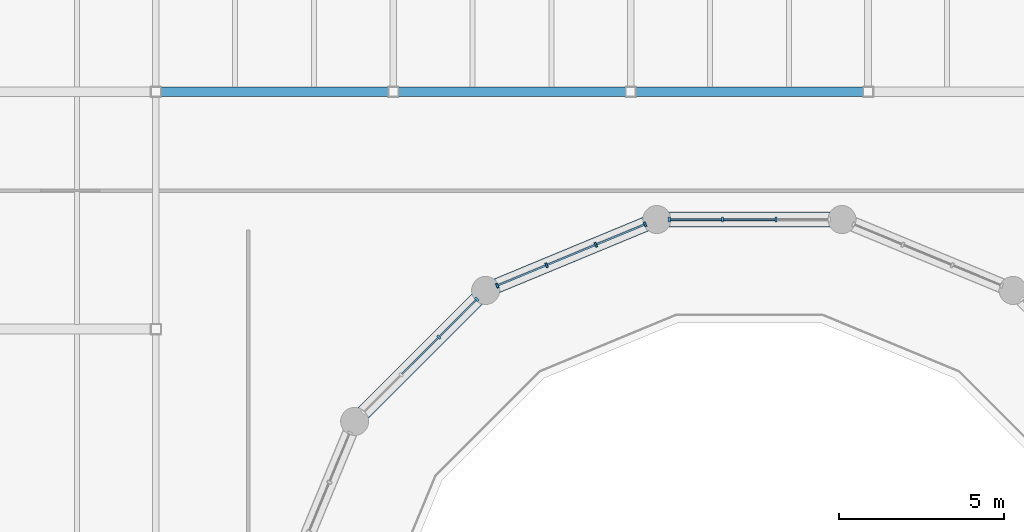
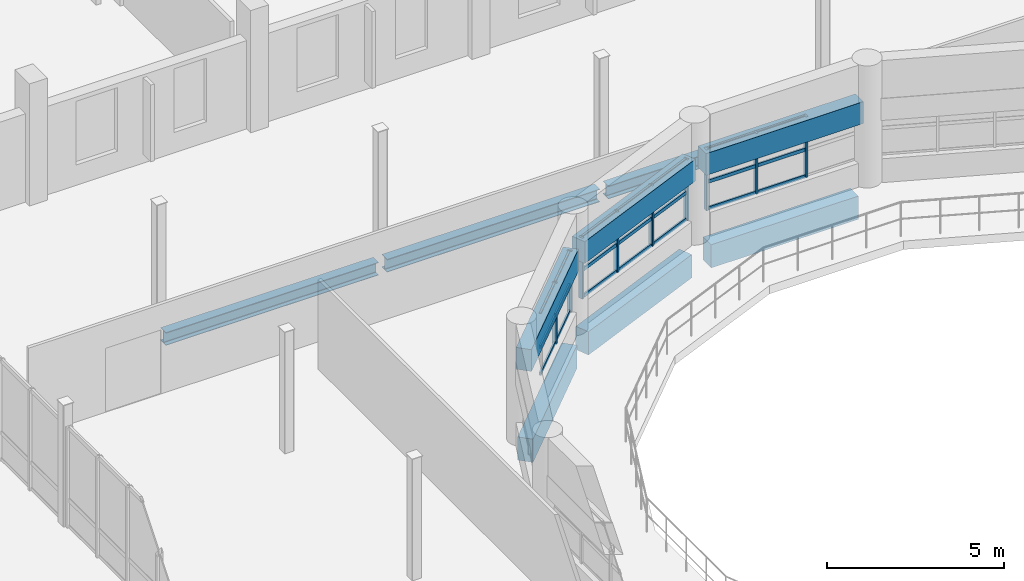
# One storey, part 30 of 63: 30 members, 9 beams, 3 elements without a shape of their own.
"""IFC4 building model written with IfcOpenShell, lengths in metres."""

from ifc_helpers import new_model, si_unit, direction, frame, origin, origin_2d, place, context, subcontext, project, spatial, rectangle, i_section, extrude, material, material_profile, profile_set, type_object, element, aggregate, save


model = new_model("IFC4")

# Units and contexts
model_context = context("Model", 3, precision=1e-05, world=origin(), true_north=direction((0.0, 1.0)))
body_context = subcontext(model_context, "Body", "Model", "MODEL_VIEW")
ifc_project = project(units=[si_unit("LENGTHUNIT", "METRE"), si_unit("AREAUNIT", "SQUARE_METRE"), si_unit("VOLUMEUNIT", "CUBIC_METRE"), si_unit("PLANEANGLEUNIT", "RADIAN"), si_unit("MASSUNIT", "GRAM", prefix="KILO")], contexts=[model_context])

# Site, building, storey
site_placement = place(None, origin())
site = spatial("IfcSite", under=ifc_project, at=site_placement, CompositionType="ELEMENT")
building_placement = place(site_placement, origin())
building = spatial("IfcBuilding", under=site, at=building_placement, Name="Qiaolan Assembly House", CompositionType="ELEMENT")
storey_placement = place(building_placement, frame((0.0, 0.0, 14.39990234375)))
storey = spatial("IfcBuildingStorey", under=building, at=storey_placement, Name="L03", CompositionType="ELEMENT", Elevation=14.39990234375)

# Beams
ifc_material_1 = material(Name="Concrete C40/50", Category="concrete")
ifc_material_profile_1 = material_profile(ifc_material_1, rectangle(XDim=0.449951171875, YDim=0.75, at=origin_2d()), Name="RCB 450x750")
ifc_profile_set_1 = profile_set([ifc_material_profile_1], Name="Concrete C40/50")
beam_type_1 = type_object("IfcBeamType", Name="BM-RC-450x750", PredefinedType="BEAM", material=ifc_profile_set_1)
for number, where, z_axis, x_axis, name in (
    (1, (65.8408203125, 75.3232421875, 2.525146484375), (1.0, 0.0, 0.0), (0.0, 1.0, 0.0), "GB-04 drum clerestory lintel beam 4 L03"),
    (2, (60.630859375, 73.268798828125, 2.525146484375), (0.923877888081, 0.382687402348, 0.0), (-0.382687402348, 0.923877888081, 0.0), "GB-04 drum clerestory lintel beam 5 L03"),
):
    element("IfcBeam", number, at=place(storey_placement, frame(where, z_axis=z_axis, x_axis=x_axis)), inside=storey, type_object=beam_type_1, Name=name, PredefinedType="BEAM", context=body_context, shape_type="SweptSolid", body=[
        extrude(rectangle(XDim=0.449951171875, YDim=0.75, at=origin_2d()), origin(), (0.0, 0.0, 1.0), 5.118408203125),
    ])
beam_1_placement = place(storey_placement, frame((56.603515625, 69.376953125, 2.525146484375), z_axis=(0.707106781187, 0.707106781187, 0.0), x_axis=(-0.707106781187, 0.707106781187, 0.0)))
element("IfcBeam", 3, at=beam_1_placement, inside=storey, type_object=beam_type_1, Name="GB-04 drum clerestory lintel beam 6 L03", PredefinedType="BEAM", context=body_context, shape_type="SweptSolid", body=[
    extrude(rectangle(XDim=0.449951171875, YDim=0.75, at=origin_2d()), origin(), (0.0, 0.0, 1.0), 5.11865234375),
])
ifc_material_profile_2 = material_profile(ifc_material_1, rectangle(XDim=0.449951171875, YDim=0.800048828125, at=origin_2d()), Name="RCB 450x800")
ifc_profile_set_2 = profile_set([ifc_material_profile_2], Name="Concrete C40/50")
beam_type_2 = type_object("IfcBeamType", Name="BM-RC-450x800", PredefinedType="BEAM", material=ifc_profile_set_2)
for number, where, z_axis, x_axis, name in (
    (4, (70.794189453125, 75.3232421875, -0.68994140625), (-1.0, 0.0, 0.0), (0.0, -1.0, 0.0), "GB-03 beam BM-DRUM-L03-03"),
    (5, (65.207275390625, 75.16455078125, -0.68994140625), (-0.923878882938, -0.38268500057, 0.0), (0.38268500057, -0.923878882938, 0.0), "GB-03 beam BM-DRUM-L03-04"),
    (6, (60.1064453125, 72.879638671875, -0.68994140625), (-0.707132272157, -0.707081289297, 0.0), (0.707081289297, -0.707132272157, 0.0), "GB-03 beam BM-DRUM-L03-05"),
):
    element("IfcBeam", number, at=place(storey_placement, frame(where, z_axis=z_axis, x_axis=x_axis)), inside=storey, type_object=beam_type_2, Name=name, PredefinedType="BEAM", context=body_context, shape_type="SweptSolid", body=[
        extrude(rectangle(XDim=0.449951171875, YDim=0.800048828125, at=origin_2d()), origin(), (0.0, 0.0, 1.0), 4.78857421875),
    ])
ifc_material_2 = material(Name="Steel Q355B", Category="steel")
ifc_material_profile_3 = material_profile(ifc_material_2, i_section(OverallWidth=0.300048828125, OverallDepth=0.43994140625, WebThickness=0.010986328125, FlangeThickness=0.01806640625, FilletRadius=0.02001953125, at=origin_2d()), Name="HM 440x300x11x18")
ifc_profile_set_3 = profile_set([ifc_material_profile_3], Name="Steel Q355B")
beam_type_3 = type_object("IfcBeamType", Name="BM-STL-HM440", PredefinedType="BEAM", material=ifc_profile_set_3)
for number, where, z_axis, x_axis, name in (
    (7, (50.5400390625, 79.199951171875, -0.52001953125), (1.0, 0.0, 0.0), (0.0, 1.0, 0.0), "SB-06 beam BMX-HLC-L03-01-06"),
    (8, (57.739990234375, 79.199951171875, -0.52001953125), (1.0, 0.0, 0.0), (0.0, 1.0, 0.0), "SB-06 beam BMX-HLC-L03-02-06"),
):
    element("IfcBeam", number, at=place(storey_placement, frame(where, z_axis=z_axis, x_axis=x_axis)), inside=storey, type_object=beam_type_3, Name=name, PredefinedType="BEAM", context=body_context, shape_type="SweptSolid", body=[
        extrude(i_section(OverallWidth=0.300048828125, OverallDepth=0.43994140625, WebThickness=0.010986328125, FlangeThickness=0.01806640625, FilletRadius=0.02001953125, at=origin_2d()), origin(), (0.0, 0.0, 1.0), 6.919921875),
    ])
beam_2_placement = place(storey_placement, frame((64.93994140625, 79.199951171875, -0.52001953125), z_axis=(1.0, 0.0, 0.0), x_axis=(0.0, 1.0, 0.0)))
element("IfcBeam", 9, at=beam_2_placement, inside=storey, type_object=beam_type_3, Name="SB-06 beam BMX-HLC-L03-03-06", PredefinedType="BEAM", context=body_context, shape_type="SweptSolid", body=[
    extrude(i_section(OverallWidth=0.300048828125, OverallDepth=0.43994140625, WebThickness=0.010986328125, FlangeThickness=0.01806640625, FilletRadius=0.02001953125, at=origin_2d()), origin(), (0.0, 0.0, 1.0), 6.920166015625),
])

# Curtain wall, members
ifc_material_3 = material(Name="Anodised bronze aluminium", Category="aluminium")
curtain_wall_type = type_object("IfcCurtainWallType", Name="CW-DRUM-CLERESTORY", PredefinedType="NOTDEFINED", material=ifc_material_3)
curtain_wall_1_placement = place(storey_placement, origin())
curtain_wall_1 = element("IfcCurtainWall", 10, at=curtain_wall_1_placement, inside=storey, type_object=curtain_wall_type, Name="CW-06 Council Chamber Drum Clerestory Curtain Wall 4", PredefinedType="NOTDEFINED")
ifc_material_profile_4 = material_profile(ifc_material_3, rectangle(XDim=0.06591796875, YDim=0.14501953125, at=origin_2d()), Name="MUL 66x145")
ifc_profile_set_4 = profile_set([ifc_material_profile_4], Name="Anodised bronze aluminium")
member_type_1 = type_object("IfcMemberType", Name="CW-DRUM-CLERESTORY-MUL", PredefinedType="MULLION", material=ifc_profile_set_4)
member_1_placement = place(storey_placement, frame((65.970703125, 75.3232421875, 0.800048828125), z_axis=(0.0, 0.0, 1.0), x_axis=(1.0, 0.0, 0.0)))
member_1 = element("IfcMember", 11, at=member_1_placement, type_object=member_type_1, Name="ML-07 mullion CW-DRUM-CLER-03-1", PredefinedType="MULLION", context=body_context, shape_type="SweptSolid", body=[
    extrude(rectangle(XDim=0.06591796875, YDim=0.14501953125, at=origin_2d()), origin(), (0.0, 0.0, 1.0), 2.10009765625),
])
member_2_placement = place(storey_placement, frame((67.590087890625, 75.3232421875, 0.800048828125), z_axis=(0.0, 0.0, 1.0), x_axis=(1.0, 0.0, 0.0)))
member_2 = element("IfcMember", 12, at=member_2_placement, type_object=member_type_1, Name="ML-07 mullion CW-DRUM-CLER-03-2", PredefinedType="MULLION", context=body_context, shape_type="SweptSolid", body=[
    extrude(rectangle(XDim=0.06591796875, YDim=0.14501953125, at=origin_2d()), origin(), (0.0, 0.0, 1.0), 2.10009765625),
])
member_3_placement = place(storey_placement, frame((69.209716796875, 75.3232421875, 0.800048828125), z_axis=(0.0, 0.0, 1.0), x_axis=(1.0, 0.0, 0.0)))
member_3 = element("IfcMember", 13, at=member_3_placement, type_object=member_type_1, Name="ML-07 mullion CW-DRUM-CLER-03-3", PredefinedType="MULLION", context=body_context, shape_type="SweptSolid", body=[
    extrude(rectangle(XDim=0.06591796875, YDim=0.14501953125, at=origin_2d()), origin(), (0.0, 0.0, 1.0), 2.10009765625),
])

curtain_wall_2_placement = place(storey_placement, origin())
curtain_wall_2 = element("IfcCurtainWall", 14, at=curtain_wall_2_placement, inside=storey, type_object=curtain_wall_type, Name="CW-06 Council Chamber Drum Clerestory Curtain Wall 5", PredefinedType="NOTDEFINED")
member_4_placement = place(storey_placement, frame((60.7509765625, 73.318603515625, 0.800048828125), z_axis=(0.0, 0.0, 1.0), x_axis=(0.923879539691, 0.382683415031, 0.0)))
member_4 = element("IfcMember", 15, at=member_4_placement, type_object=member_type_1, Name="ML-07 mullion CW-DRUM-CLER-04-1", PredefinedType="MULLION", context=body_context, shape_type="SweptSolid", body=[
    extrude(rectangle(XDim=0.06591796875, YDim=0.14501953125, at=origin_2d()), origin(), (0.0, 0.0, 1.0), 2.10009765625),
])
member_5_placement = place(storey_placement, frame((62.2470703125, 73.938232421875, 0.800048828125), z_axis=(0.0, 0.0, 1.0), x_axis=(0.923879539691, 0.382683415031, 0.0)))
member_5 = element("IfcMember", 16, at=member_5_placement, type_object=member_type_1, Name="ML-07 mullion CW-DRUM-CLER-04-2", PredefinedType="MULLION", context=body_context, shape_type="SweptSolid", body=[
    extrude(rectangle(XDim=0.06591796875, YDim=0.14501953125, at=origin_2d()), origin(), (0.0, 0.0, 1.0), 2.10009765625),
])
member_6_placement = place(storey_placement, frame((63.743408203125, 74.55810546875, 0.800048828125), z_axis=(0.0, 0.0, 1.0), x_axis=(0.923879539691, 0.382683415031, 0.0)))
member_6 = element("IfcMember", 17, at=member_6_placement, type_object=member_type_1, Name="ML-07 mullion CW-DRUM-CLER-04-3", PredefinedType="MULLION", context=body_context, shape_type="SweptSolid", body=[
    extrude(rectangle(XDim=0.06591796875, YDim=0.14501953125, at=origin_2d()), origin(), (0.0, 0.0, 1.0), 2.10009765625),
])
member_7_placement = place(storey_placement, frame((65.239501953125, 75.177978515625, 0.800048828125), z_axis=(0.0, 0.0, 1.0), x_axis=(0.923879539691, 0.382683415031, 0.0)))
member_7 = element("IfcMember", 18, at=member_7_placement, type_object=member_type_1, Name="ML-07 mullion CW-DRUM-CLER-04-4", PredefinedType="MULLION", context=body_context, shape_type="SweptSolid", body=[
    extrude(rectangle(XDim=0.06591796875, YDim=0.14501953125, at=origin_2d()), origin(), (0.0, 0.0, 1.0), 2.10009765625),
])

curtain_wall_3_placement = place(storey_placement, origin())
curtain_wall_3 = element("IfcCurtainWall", 19, at=curtain_wall_3_placement, inside=storey, type_object=curtain_wall_type, Name="CW-06 Council Chamber Drum Clerestory Curtain Wall 6", PredefinedType="NOTDEFINED")
member_8_placement = place(storey_placement, frame((58.98583984375, 71.75927734375, 0.800048828125), z_axis=(0.0, 0.0, 1.0), x_axis=(0.707106781187, 0.707106781187, 0.0)))
member_8 = element("IfcMember", 20, at=member_8_placement, type_object=member_type_1, Name="ML-07 mullion CW-DRUM-CLER-05-3", PredefinedType="MULLION", context=body_context, shape_type="SweptSolid", body=[
    extrude(rectangle(XDim=0.06591796875, YDim=0.14501953125, at=origin_2d()), origin(), (0.0, 0.0, 1.0), 2.10009765625),
])
member_9_placement = place(storey_placement, frame((60.131103515625, 72.904541015625, 0.800048828125), z_axis=(0.0, 0.0, 1.0), x_axis=(0.707106781187, 0.707106781187, 0.0)))
member_9 = element("IfcMember", 21, at=member_9_placement, type_object=member_type_1, Name="ML-07 mullion CW-DRUM-CLER-05-4", PredefinedType="MULLION", context=body_context, shape_type="SweptSolid", body=[
    extrude(rectangle(XDim=0.06591796875, YDim=0.14501953125, at=origin_2d()), origin(), (0.0, 0.0, 1.0), 2.10009765625),
])

# Member
ifc_material_profile_5 = material_profile(ifc_material_3, rectangle(XDim=0.05810546875, YDim=0.114990234375, at=origin_2d()), Name="TRN 58x115")
ifc_profile_set_5 = profile_set([ifc_material_profile_5], Name="Anodised bronze aluminium")
member_type_2 = type_object("IfcMemberType", Name="CW-DRUM-CLERESTORY-TRN", PredefinedType="USERDEFINED", material=ifc_profile_set_5)
member_10_placement = place(storey_placement, frame((66.003662109375, 75.3232421875, 0.830078125), z_axis=(1.0, 0.0, 0.0), x_axis=(0.0, 1.0, 0.0)))
member_10 = element("IfcMember", 22, at=member_10_placement, type_object=member_type_2, Name="TR-07 transom CW-DRUM-CLER-03-1-1", ObjectType="TRANSOM", PredefinedType="USERDEFINED", context=body_context, shape_type="SweptSolid", body=[
    extrude(rectangle(XDim=0.05810546875, YDim=0.114990234375, at=origin_2d()), origin(), (0.0, 0.0, 1.0), 1.553466796875),
])

member_11_placement = place(storey_placement, frame((66.003662109375, 75.3232421875, 1.75), z_axis=(1.0, 0.0, 0.0), x_axis=(0.0, 1.0, 0.0)))
member_11 = element("IfcMember", 23, at=member_11_placement, type_object=member_type_2, Name="TR-07 transom CW-DRUM-CLER-03-1-2", ObjectType="TRANSOM", PredefinedType="USERDEFINED", context=body_context, shape_type="SweptSolid", body=[
    extrude(rectangle(XDim=0.05810546875, YDim=0.114990234375, at=origin_2d()), origin(), (0.0, 0.0, 1.0), 1.553466796875),
])

member_12_placement = place(storey_placement, frame((66.003662109375, 75.3232421875, 2.8701171875), z_axis=(1.0, 0.0, 0.0), x_axis=(0.0, 1.0, 0.0)))
member_12 = element("IfcMember", 24, at=member_12_placement, type_object=member_type_2, Name="TR-07 transom CW-DRUM-CLER-03-1-3", ObjectType="TRANSOM", PredefinedType="USERDEFINED", context=body_context, shape_type="SweptSolid", body=[
    extrude(rectangle(XDim=0.05810546875, YDim=0.114990234375, at=origin_2d()), origin(), (0.0, 0.0, 1.0), 1.553466796875),
])

member_13_placement = place(storey_placement, frame((67.623291015625, 75.3232421875, 0.830078125), z_axis=(1.0, 0.0, 0.0), x_axis=(0.0, 1.0, 0.0)))
member_13 = element("IfcMember", 25, at=member_13_placement, type_object=member_type_2, Name="TR-07 transom CW-DRUM-CLER-03-2-1", ObjectType="TRANSOM", PredefinedType="USERDEFINED", context=body_context, shape_type="SweptSolid", body=[
    extrude(rectangle(XDim=0.05810546875, YDim=0.114990234375, at=origin_2d()), origin(), (0.0, 0.0, 1.0), 1.553466796875),
])

member_14_placement = place(storey_placement, frame((67.623291015625, 75.3232421875, 1.75), z_axis=(1.0, 0.0, 0.0), x_axis=(0.0, 1.0, 0.0)))
member_14 = element("IfcMember", 26, at=member_14_placement, type_object=member_type_2, Name="TR-07 transom CW-DRUM-CLER-03-2-2", ObjectType="TRANSOM", PredefinedType="USERDEFINED", context=body_context, shape_type="SweptSolid", body=[
    extrude(rectangle(XDim=0.05810546875, YDim=0.114990234375, at=origin_2d()), origin(), (0.0, 0.0, 1.0), 1.553466796875),
])

member_15_placement = place(storey_placement, frame((67.623291015625, 75.3232421875, 2.8701171875), z_axis=(1.0, 0.0, 0.0), x_axis=(0.0, 1.0, 0.0)))
member_15 = element("IfcMember", 27, at=member_15_placement, type_object=member_type_2, Name="TR-07 transom CW-DRUM-CLER-03-2-3", ObjectType="TRANSOM", PredefinedType="USERDEFINED", context=body_context, shape_type="SweptSolid", body=[
    extrude(rectangle(XDim=0.05810546875, YDim=0.114990234375, at=origin_2d()), origin(), (0.0, 0.0, 1.0), 1.553466796875),
])

aggregate(curtain_wall_1, [member_1, member_2, member_3, member_10, member_11, member_12, member_13, member_14, member_15])

member_16_placement = place(storey_placement, frame((60.78125, 73.331298828125, 0.830078125), z_axis=(0.923888507225, 0.382661764772, 0.0), x_axis=(-0.382661764772, 0.923888507225, 0.0)))
member_16 = element("IfcMember", 28, at=member_16_placement, type_object=member_type_2, Name="TR-07 transom CW-DRUM-CLER-04-1-1", ObjectType="TRANSOM", PredefinedType="USERDEFINED", context=body_context, shape_type="SweptSolid", body=[
    extrude(rectangle(XDim=0.05810546875, YDim=0.114990234375, at=origin_2d()), origin(), (0.0, 0.0, 1.0), 1.553466796875),
])

member_17_placement = place(storey_placement, frame((60.78125, 73.331298828125, 1.75), z_axis=(0.923888507225, 0.382661764772, 0.0), x_axis=(-0.382661764772, 0.923888507225, 0.0)))
member_17 = element("IfcMember", 29, at=member_17_placement, type_object=member_type_2, Name="TR-07 transom CW-DRUM-CLER-04-1-2", ObjectType="TRANSOM", PredefinedType="USERDEFINED", context=body_context, shape_type="SweptSolid", body=[
    extrude(rectangle(XDim=0.05810546875, YDim=0.114990234375, at=origin_2d()), origin(), (0.0, 0.0, 1.0), 1.553466796875),
])

member_18_placement = place(storey_placement, frame((60.78125, 73.331298828125, 2.8701171875), z_axis=(0.923888507225, 0.382661764772, 0.0), x_axis=(-0.382661764772, 0.923888507225, 0.0)))
member_18 = element("IfcMember", 30, at=member_18_placement, type_object=member_type_2, Name="TR-07 transom CW-DRUM-CLER-04-1-3", ObjectType="TRANSOM", PredefinedType="USERDEFINED", context=body_context, shape_type="SweptSolid", body=[
    extrude(rectangle(XDim=0.05810546875, YDim=0.114990234375, at=origin_2d()), origin(), (0.0, 0.0, 1.0), 1.553466796875),
])

member_19_placement = place(storey_placement, frame((62.277587890625, 73.950927734375, 0.830078125), z_axis=(0.923888507225, 0.382661764772, 0.0), x_axis=(-0.382661764772, 0.923888507225, 0.0)))
member_19 = element("IfcMember", 31, at=member_19_placement, type_object=member_type_2, Name="TR-07 transom CW-DRUM-CLER-04-2-1", ObjectType="TRANSOM", PredefinedType="USERDEFINED", context=body_context, shape_type="SweptSolid", body=[
    extrude(rectangle(XDim=0.05810546875, YDim=0.114990234375, at=origin_2d()), origin(), (0.0, 0.0, 1.0), 1.553466796875),
])

member_20_placement = place(storey_placement, frame((62.277587890625, 73.950927734375, 1.75), z_axis=(0.923888507225, 0.382661764772, 0.0), x_axis=(-0.382661764772, 0.923888507225, 0.0)))
member_20 = element("IfcMember", 32, at=member_20_placement, type_object=member_type_2, Name="TR-07 transom CW-DRUM-CLER-04-2-2", ObjectType="TRANSOM", PredefinedType="USERDEFINED", context=body_context, shape_type="SweptSolid", body=[
    extrude(rectangle(XDim=0.05810546875, YDim=0.114990234375, at=origin_2d()), origin(), (0.0, 0.0, 1.0), 1.553466796875),
])

member_21_placement = place(storey_placement, frame((62.277587890625, 73.950927734375, 2.8701171875), z_axis=(0.923888507225, 0.382661764772, 0.0), x_axis=(-0.382661764772, 0.923888507225, 0.0)))
member_21 = element("IfcMember", 33, at=member_21_placement, type_object=member_type_2, Name="TR-07 transom CW-DRUM-CLER-04-2-3", ObjectType="TRANSOM", PredefinedType="USERDEFINED", context=body_context, shape_type="SweptSolid", body=[
    extrude(rectangle(XDim=0.05810546875, YDim=0.114990234375, at=origin_2d()), origin(), (0.0, 0.0, 1.0), 1.553466796875),
])

member_22_placement = place(storey_placement, frame((63.77392578125, 74.57080078125, 0.830078125), z_axis=(0.923888507225, 0.382661764772, 0.0), x_axis=(-0.382661764772, 0.923888507225, 0.0)))
member_22 = element("IfcMember", 34, at=member_22_placement, type_object=member_type_2, Name="TR-07 transom CW-DRUM-CLER-04-3-1", ObjectType="TRANSOM", PredefinedType="USERDEFINED", context=body_context, shape_type="SweptSolid", body=[
    extrude(rectangle(XDim=0.05810546875, YDim=0.114990234375, at=origin_2d()), origin(), (0.0, 0.0, 1.0), 1.553466796875),
])

member_23_placement = place(storey_placement, frame((63.77392578125, 74.57080078125, 1.75), z_axis=(0.923888507225, 0.382661764772, 0.0), x_axis=(-0.382661764772, 0.923888507225, 0.0)))
member_23 = element("IfcMember", 35, at=member_23_placement, type_object=member_type_2, Name="TR-07 transom CW-DRUM-CLER-04-3-2", ObjectType="TRANSOM", PredefinedType="USERDEFINED", context=body_context, shape_type="SweptSolid", body=[
    extrude(rectangle(XDim=0.05810546875, YDim=0.114990234375, at=origin_2d()), origin(), (0.0, 0.0, 1.0), 1.553466796875),
])

member_24_placement = place(storey_placement, frame((63.77392578125, 74.57080078125, 2.8701171875), z_axis=(0.923888507225, 0.382661764772, 0.0), x_axis=(-0.382661764772, 0.923888507225, 0.0)))
member_24 = element("IfcMember", 36, at=member_24_placement, type_object=member_type_2, Name="TR-07 transom CW-DRUM-CLER-04-3-3", ObjectType="TRANSOM", PredefinedType="USERDEFINED", context=body_context, shape_type="SweptSolid", body=[
    extrude(rectangle(XDim=0.05810546875, YDim=0.114990234375, at=origin_2d()), origin(), (0.0, 0.0, 1.0), 1.553466796875),
])

aggregate(curtain_wall_2, [member_4, member_5, member_6, member_7, member_16, member_17, member_18, member_19, member_20, member_21, member_22, member_23, member_24])

member_25_placement = place(storey_placement, frame((57.864013671875, 70.637451171875, 0.830078125), z_axis=(0.707106781187, 0.707106781187, 0.0), x_axis=(-0.707106781187, 0.707106781187, 0.0)))
member_25 = element("IfcMember", 37, at=member_25_placement, type_object=member_type_2, Name="TR-07 transom CW-DRUM-CLER-05-2-1", ObjectType="TRANSOM", PredefinedType="USERDEFINED", context=body_context, shape_type="SweptSolid", body=[
    extrude(rectangle(XDim=0.05810546875, YDim=0.114990234375, at=origin_2d()), origin(), (0.0, 0.0, 1.0), 1.5537109375),
])

member_26_placement = place(storey_placement, frame((57.864013671875, 70.637451171875, 1.75), z_axis=(0.707106781187, 0.707106781187, 0.0), x_axis=(-0.707106781187, 0.707106781187, 0.0)))
member_26 = element("IfcMember", 38, at=member_26_placement, type_object=member_type_2, Name="TR-07 transom CW-DRUM-CLER-05-2-2", ObjectType="TRANSOM", PredefinedType="USERDEFINED", context=body_context, shape_type="SweptSolid", body=[
    extrude(rectangle(XDim=0.05810546875, YDim=0.114990234375, at=origin_2d()), origin(), (0.0, 0.0, 1.0), 1.5537109375),
])

member_27_placement = place(storey_placement, frame((57.864013671875, 70.637451171875, 2.8701171875), z_axis=(0.707106781187, 0.707106781187, 0.0), x_axis=(-0.707106781187, 0.707106781187, 0.0)))
member_27 = element("IfcMember", 39, at=member_27_placement, type_object=member_type_2, Name="TR-07 transom CW-DRUM-CLER-05-2-3", ObjectType="TRANSOM", PredefinedType="USERDEFINED", context=body_context, shape_type="SweptSolid", body=[
    extrude(rectangle(XDim=0.05810546875, YDim=0.114990234375, at=origin_2d()), origin(), (0.0, 0.0, 1.0), 1.5537109375),
])

member_28_placement = place(storey_placement, frame((59.00927734375, 71.78271484375, 0.830078125), z_axis=(0.707106781187, 0.707106781187, 0.0), x_axis=(-0.707106781187, 0.707106781187, 0.0)))
member_28 = element("IfcMember", 40, at=member_28_placement, type_object=member_type_2, Name="TR-07 transom CW-DRUM-CLER-05-3-1", ObjectType="TRANSOM", PredefinedType="USERDEFINED", context=body_context, shape_type="SweptSolid", body=[
    extrude(rectangle(XDim=0.05810546875, YDim=0.114990234375, at=origin_2d()), origin(), (0.0, 0.0, 1.0), 1.553466796875),
])

member_29_placement = place(storey_placement, frame((59.00927734375, 71.78271484375, 1.75), z_axis=(0.707106781187, 0.707106781187, 0.0), x_axis=(-0.707106781187, 0.707106781187, 0.0)))
member_29 = element("IfcMember", 41, at=member_29_placement, type_object=member_type_2, Name="TR-07 transom CW-DRUM-CLER-05-3-2", ObjectType="TRANSOM", PredefinedType="USERDEFINED", context=body_context, shape_type="SweptSolid", body=[
    extrude(rectangle(XDim=0.05810546875, YDim=0.114990234375, at=origin_2d()), origin(), (0.0, 0.0, 1.0), 1.553466796875),
])

member_30_placement = place(storey_placement, frame((59.00927734375, 71.78271484375, 2.8701171875), z_axis=(0.707106781187, 0.707106781187, 0.0), x_axis=(-0.707106781187, 0.707106781187, 0.0)))
member_30 = element("IfcMember", 42, at=member_30_placement, type_object=member_type_2, Name="TR-07 transom CW-DRUM-CLER-05-3-3", ObjectType="TRANSOM", PredefinedType="USERDEFINED", context=body_context, shape_type="SweptSolid", body=[
    extrude(rectangle(XDim=0.05810546875, YDim=0.114990234375, at=origin_2d()), origin(), (0.0, 0.0, 1.0), 1.553466796875),
])

aggregate(curtain_wall_3, [member_8, member_9, member_25, member_26, member_27, member_28, member_29, member_30])

save(model, "model.ifc")
